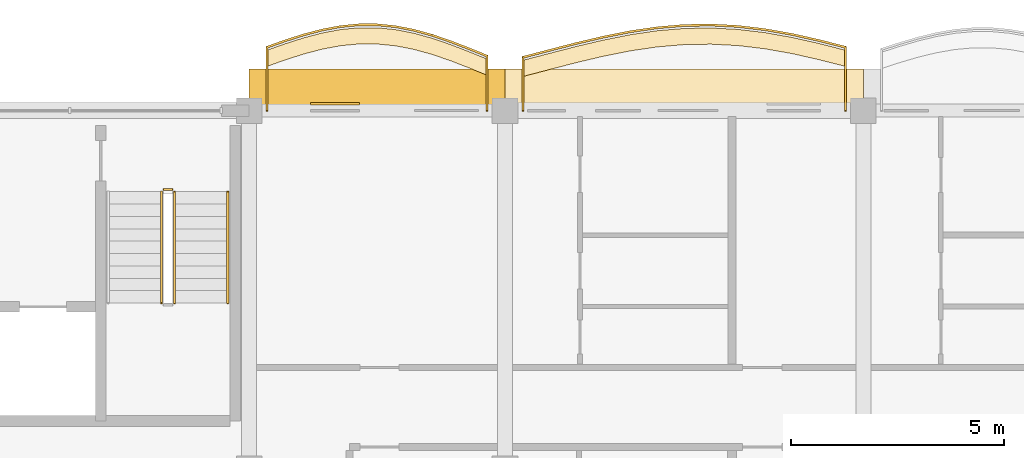
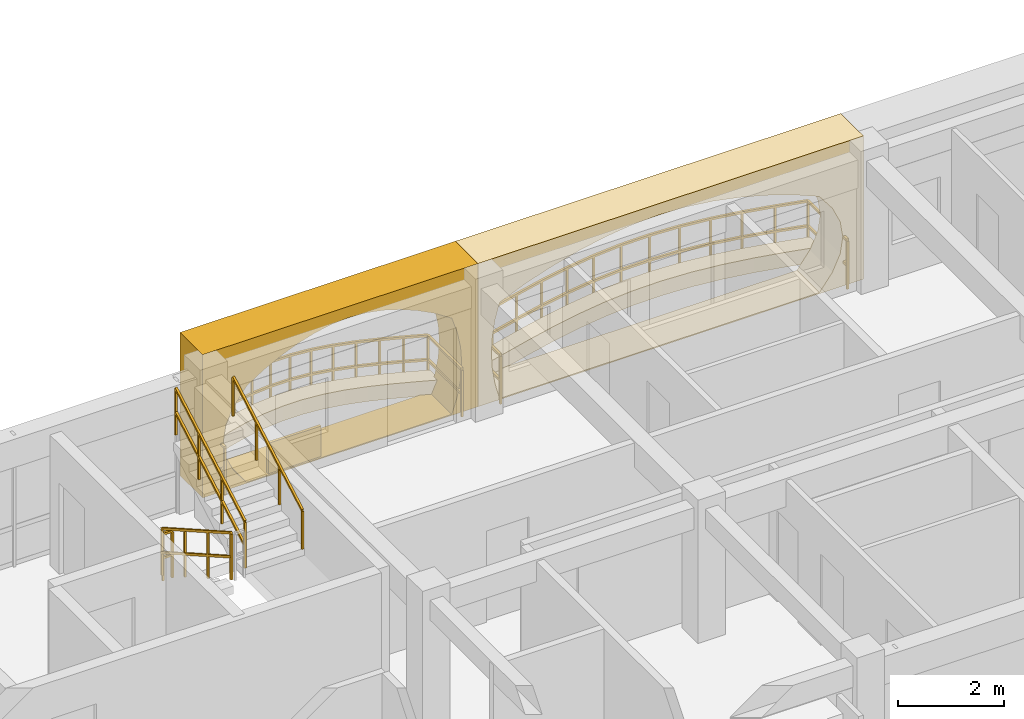
# One storey, part 44 of 54: 6 railings, 5 coverings.
"""IFC4 building model written with IfcOpenShell, lengths in metres."""

from ifc_helpers import new_model, si_unit, direction, frame, origin, origin_2d, place, context, subcontext, project, spatial, polyline, rectangle, outline, extrude, material, layer, layer_set, type_object, element, save


model = new_model("IFC4")

# Units and contexts
model_context = context("Model", 3, precision=1e-05, world=origin(), true_north=direction((0.0, 1.0)))
body_context = subcontext(model_context, "Body", "Model", "MODEL_VIEW")
ifc_project = project(units=[si_unit("LENGTHUNIT", "METRE"), si_unit("AREAUNIT", "SQUARE_METRE"), si_unit("VOLUMEUNIT", "CUBIC_METRE"), si_unit("PLANEANGLEUNIT", "RADIAN"), si_unit("MASSUNIT", "GRAM", prefix="KILO"), si_unit("THERMODYNAMICTEMPERATUREUNIT", "KELVIN")], contexts=[model_context])

# Site, building, storey
site_placement = place(None, origin())
site = spatial("IfcSite", under=ifc_project, at=site_placement, CompositionType="ELEMENT")
building_placement = place(site_placement, origin())
building = spatial("IfcBuilding", under=site, at=building_placement, Name="Thalorik Housing Commons", CompositionType="ELEMENT")
storey_placement = place(building_placement, frame((0.0, 0.0, 31.199951171875)))
storey = spatial("IfcBuildingStorey", under=building, at=storey_placement, Name="L09", CompositionType="ELEMENT", Elevation=31.199951171875)

# Coverings
ifc_material_1 = material(Name="Cobalt blue glazed ceramic facade tile panel", Category="masonry")
ifc_layer_1 = layer(ifc_material_1, 0.06005859375, Name="Cobalt blue glazed ceramic facade tile panel", Category="masonry")
ifc_layer_set_1 = layer_set([ifc_layer_1], Name="Cobalt blue glazed ceramic facade tile panel")
covering_type_1 = type_object("IfcCoveringType", Name="ARC-CLD-BLU-60", PredefinedType="CLADDING", material=ifc_layer_set_1)
covering_1_placement = place(storey_placement, frame((24.81005859375, 123.757568359375, 0.05029296875), z_axis=(0.0, 0.0, 1.0), x_axis=(-1.0, 0.0, 0.0)))
element("IfcCovering", 1, at=covering_1_placement, inside=storey, type_object=covering_type_1, Name="L09 De Stijl Recessed Window Spandrel 956", PredefinedType="CLADDING", context=body_context, shape_type="SweptSolid", body=[
    extrude(rectangle(XDim=1.14990234375, YDim=0.06005859375, at=origin_2d()), origin(), (0.0, 0.0, 1.0), 0.699951171875),
])
ifc_material_2 = material(Name="Precast concrete C40/50", Category="concrete")
ifc_layer_2 = layer(ifc_material_2, 0.85009765625, Name="Precast concrete C40/50", Category="concrete")
ifc_layer_set_2 = layer_set([ifc_layer_2], Name="Precast concrete C40/50")
covering_type_2 = type_object("IfcCoveringType", Name="ARC-CLD-CUSH-850", PredefinedType="CLADDING", material=ifc_layer_set_2)
covering_2_placement = place(storey_placement, frame((33.0, 124.1474609375, 0.0), z_axis=(0.0, 0.0, 1.0), x_axis=(-1.0, 0.0, 0.0)))
element("IfcCovering", 2, at=covering_2_placement, inside=storey, type_object=covering_type_2, Name="L09 White Precast Curved Cushion Bay Frame 953", PredefinedType="CLADDING", context=body_context, shape_type="SweptSolid", body=[
    extrude(outline(polyline([(-4.199951171875, 0.0), (4.199951171875, 0.0), (4.199951171875, 3.300048828125), (-4.199951171875, 3.300048828125), (-4.199951171875, 0.0)]), holes=[polyline([(3.727294921875, 0.02490234375), (3.826904296875, 0.394287109375), (3.886962890625, 0.76318359375), (3.906982421875, 1.132568359375), (3.886962890625, 1.501708984375), (3.826904296875, 1.870849609375), (3.727294921875, 2.239990234375), (3.146484375, 2.4833984375), (2.56591796875, 2.6748046875), (1.9853515625, 2.82958984375), (1.40478515625, 2.94482421875), (0.82421875, 3.01611328125), (0.24365234375, 3.0400390625), (-0.3369140625, 3.01611328125), (-0.91748046875, 2.94482421875), (-1.498291015625, 2.82958984375), (-2.078857421875, 2.6748046875), (-2.659423828125, 2.4833984375), (-3.239990234375, 2.239990234375), (-3.523193359375, 1.870849609375), (-3.693359375, 1.501708984375), (-3.75, 1.132568359375), (-3.693359375, 0.76318359375), (-3.523193359375, 0.394287109375), (-3.239990234375, 0.02490234375), (3.727294921875, 0.02490234375)])]), frame((0.0, 0.425048828125, 0.0), z_axis=(0.0, -1.0, 0.0), x_axis=(1.0, 0.0, 0.0)), (0.0, 0.0, 1.0), 0.85009765625),
])
covering_3_placement = place(storey_placement, frame((25.800048828125, 124.1474609375, 0.0), z_axis=(0.0, 0.0, 1.0), x_axis=(-1.0, 0.0, 0.0)))
element("IfcCovering", 3, at=covering_3_placement, inside=storey, type_object=covering_type_2, Name="L09 White Precast Curved Cushion Bay Frame 955", PredefinedType="CLADDING", context=body_context, shape_type="SweptSolid", body=[
    extrude(outline(polyline([(-3.0, 0.0), (3.0, 0.0), (3.0, 3.300048828125), (-3.0, 3.300048828125), (-3.0, 0.0)]), holes=[polyline([(2.0400390625, 0.02490234375), (2.3232421875, 0.394287109375), (2.493408203125, 0.76318359375), (2.550048828125, 1.132568359375), (2.493408203125, 1.501708984375), (2.3232421875, 1.870849609375), (2.0400390625, 2.239990234375), (1.66748046875, 2.4833984375), (1.294921875, 2.6748046875), (0.922607421875, 2.82958984375), (0.550048828125, 2.94482421875), (0.177490234375, 3.01611328125), (-0.195068359375, 3.0400390625), (-0.5673828125, 3.01611328125), (-0.93994140625, 2.94482421875), (-1.3125, 2.82958984375), (-1.68505859375, 2.6748046875), (-2.0576171875, 2.4833984375), (-2.429931640625, 2.239990234375), (-2.55029296875, 1.870849609375), (-2.62255859375, 1.501708984375), (-2.646484375, 1.132568359375), (-2.62255859375, 0.76318359375), (-2.55029296875, 0.394287109375), (-2.429931640625, 0.02490234375), (2.0400390625, 0.02490234375)])]), frame((0.0, 0.425048828125, 0.0), z_axis=(0.0, -1.0, 0.0), x_axis=(1.0, 0.0, 0.0)), (0.0, 0.0, 1.0), 0.85009765625),
])
ifc_material_3 = material(Name="Planted vegetated substrate and terracotta trough", Category="masonry")
ifc_layer_3 = layer(ifc_material_3, 0.340087890625, Name="Planted vegetated substrate and terracotta trough", Category="masonry")
ifc_layer_set_3 = layer_set([ifc_layer_3], Name="Planted vegetated substrate and terracotta trough")
covering_type_3 = type_object("IfcCoveringType", Name="ARC-COV-PLANTER", PredefinedType="USERDEFINED", material=ifc_layer_set_3)
covering_4_placement = place(storey_placement, origin())
element("IfcCovering", 4, at=covering_4_placement, inside=storey, type_object=covering_type_3, Name="L09 Balcony Slab-Edge Planted Trough 5378", ObjectType="PLANTER", PredefinedType="USERDEFINED", context=body_context, shape_type="SweptSolid", body=[
    extrude(outline(polyline([(28.3798828125, 124.80859375), (27.949951171875, 124.98291015625), (27.52001953125, 125.149169921875), (27.090087890625, 125.29638671875), (26.659912109375, 125.41552734375), (26.22998046875, 125.4990234375), (25.800048828125, 125.541748046875), (25.3701171875, 125.541748046875), (24.93994140625, 125.499755859375), (24.510009765625, 125.419189453125), (24.080078125, 125.305908203125), (23.64990234375, 125.168212890625), (23.219970703125, 125.01611328125), (23.219970703125, 124.635986328125), (23.64990234375, 124.788330078125), (24.080078125, 124.92578125), (24.510009765625, 125.0390625), (24.93994140625, 125.119873046875), (25.3701171875, 125.161865234375), (25.800048828125, 125.161865234375), (26.22998046875, 125.118896484375), (26.659912109375, 125.035400390625), (27.090087890625, 124.91650390625), (27.52001953125, 124.76904296875), (27.949951171875, 124.602783203125), (28.3798828125, 124.428466796875), (28.3798828125, 124.80859375)])), origin(), (0.0, 0.0, 1.0), 0.340087890625),
])
covering_5_placement = place(storey_placement, origin())
element("IfcCovering", 5, at=covering_5_placement, inside=storey, type_object=covering_type_3, Name="L09 Balcony Slab-Edge Planted Trough 5379", ObjectType="PLANTER", PredefinedType="USERDEFINED", context=body_context, shape_type="SweptSolid", body=[
    extrude(outline(polyline([(36.780029296875, 125.015380859375), (36.14990234375, 125.176025390625), (35.52001953125, 125.317138671875), (34.889892578125, 125.428955078125), (34.260009765625, 125.50390625), (33.6298828125, 125.537109375), (33.0, 125.526611328125), (32.3701171875, 125.47314453125), (31.739990234375, 125.380615234375), (31.110107421875, 125.255615234375), (30.47998046875, 125.10693359375), (29.85009765625, 124.944580078125), (29.219970703125, 124.7802734375), (29.219970703125, 124.400146484375), (29.85009765625, 124.564697265625), (30.47998046875, 124.726806640625), (31.110107421875, 124.875732421875), (31.739990234375, 125.00048828125), (32.3701171875, 125.093017578125), (33.0, 125.146484375), (33.6298828125, 125.156982421875), (34.260009765625, 125.123779296875), (34.889892578125, 125.048828125), (35.52001953125, 124.937255859375), (36.14990234375, 124.796142578125), (36.780029296875, 124.635498046875), (36.780029296875, 125.015380859375)])), origin(), (0.0, 0.0, 1.0), 0.340087890625),
])

# Railings
ifc_material_4 = material(Name="Steel S355", Category="steel")
railing_type_1 = type_object("IfcRailingType", Name="ARC-RL-BAL-112", PredefinedType="BALUSTRADE", material=ifc_material_4)
railing_1_placement = place(storey_placement, frame((28.3798828125, 123.60009765625, 0.0)))
element("IfcRailing", 6, at=railing_1_placement, inside=storey, type_object=railing_type_1, Name="L09 Cushion Balcony Guardrail 62", PredefinedType="BALUSTRADE", context=body_context, shape_type="SweptSolid", body=[
    extrude(rectangle(XDim=0.050048828125, YDim=0.050048828125, at=origin_2d()), frame((0.0, 0.0, 1.09521484375), z_axis=(0.0, 1.0, 0.0), x_axis=(-1.0, 0.0, 0.0)), (0.0, 0.0, 1.0), 1.2783203125),
    extrude(rectangle(XDim=0.050048828125, YDim=0.050048828125, at=origin_2d()), frame((0.0, 0.0, 0.53515625), z_axis=(0.0, 1.0, 0.0), x_axis=(-1.0, 0.0, 0.0)), (0.0, 0.0, 1.0), 1.2783203125),
    extrude(rectangle(XDim=0.050048828125, YDim=0.050048828125, at=origin_2d()), frame((0.0, 1.2783203125, 1.09521484375), z_axis=(-0.926541092469, 0.376193572468, 0.0), x_axis=(-0.376193572468, -0.926541092469, 0.0)), (0.0, 0.0, 1.0), 0.464111328125),
    extrude(rectangle(XDim=0.050048828125, YDim=0.050048828125, at=origin_2d()), frame((0.0, 1.2783203125, 0.53515625), z_axis=(-0.926541092469, 0.376193572468, 0.0), x_axis=(-0.376193572468, -0.926541092469, 0.0)), (0.0, 0.0, 1.0), 0.464111328125),
    extrude(rectangle(XDim=0.050048828125, YDim=0.050048828125, at=origin_2d()), frame((-0.429931640625, 1.452880859375, 1.09521484375), z_axis=(-0.9328669237, 0.360221185756, 0.0), x_axis=(-0.360221185756, -0.9328669237, 0.0)), (0.0, 0.0, 1.0), 0.4609375),
    extrude(rectangle(XDim=0.050048828125, YDim=0.050048828125, at=origin_2d()), frame((-0.429931640625, 1.452880859375, 0.53515625), z_axis=(-0.9328669237, 0.360221185756, 0.0), x_axis=(-0.360221185756, -0.9328669237, 0.0)), (0.0, 0.0, 1.0), 0.4609375),
    extrude(rectangle(XDim=0.050048828125, YDim=0.050048828125, at=origin_2d()), frame((-0.85986328125, 1.618896484375, 1.09521484375), z_axis=(-0.945908272877, 0.324434183315, 0.0), x_axis=(-0.324434183315, -0.945908272877, 0.0)), (0.0, 0.0, 1.0), 0.45458984375),
    extrude(rectangle(XDim=0.050048828125, YDim=0.050048828125, at=origin_2d()), frame((-0.85986328125, 1.618896484375, 0.53515625), z_axis=(-0.945908272877, 0.324434183315, 0.0), x_axis=(-0.324434183315, -0.945908272877, 0.0)), (0.0, 0.0, 1.0), 0.45458984375),
    extrude(rectangle(XDim=0.050048828125, YDim=0.050048828125, at=origin_2d()), frame((-1.289794921875, 1.766357421875, 1.09521484375), z_axis=(-0.963721364475, 0.26691034385, 0.0), x_axis=(-0.26691034385, -0.963721364475, 0.0)), (0.0, 0.0, 1.0), 0.4462890625),
    extrude(rectangle(XDim=0.050048828125, YDim=0.050048828125, at=origin_2d()), frame((-1.289794921875, 1.766357421875, 0.53515625), z_axis=(-0.963721364475, 0.26691034385, 0.0), x_axis=(-0.26691034385, -0.963721364475, 0.0)), (0.0, 0.0, 1.0), 0.4462890625),
    extrude(rectangle(XDim=0.050048828125, YDim=0.050048828125, at=origin_2d()), frame((-1.719970703125, 1.885498046875, 1.09521484375), z_axis=(-0.981658882088, 0.190645847629, 0.0), x_axis=(-0.190645847629, -0.981658882088, 0.0)), (0.0, 0.0, 1.0), 0.43798828125),
    extrude(rectangle(XDim=0.050048828125, YDim=0.050048828125, at=origin_2d()), frame((-1.719970703125, 1.885498046875, 0.53515625), z_axis=(-0.981658882088, 0.190645847629, 0.0), x_axis=(-0.190645847629, -0.981658882088, 0.0)), (0.0, 0.0, 1.0), 0.43798828125),
    extrude(rectangle(XDim=0.050048828125, YDim=0.050048828125, at=origin_2d()), frame((-2.14990234375, 1.968994140625, 1.09521484375), z_axis=(-0.995098542801, 0.098888270863, 0.0), x_axis=(-0.098888270863, -0.995098542801, 0.0)), (0.0, 0.0, 1.0), 0.43212890625),
    extrude(rectangle(XDim=0.050048828125, YDim=0.050048828125, at=origin_2d()), frame((-2.14990234375, 1.968994140625, 0.53515625), z_axis=(-0.995098542801, 0.098888270863, 0.0), x_axis=(-0.098888270863, -0.995098542801, 0.0)), (0.0, 0.0, 1.0), 0.43212890625),
    extrude(rectangle(XDim=0.050048828125, YDim=0.050048828125, at=origin_2d()), frame((-2.579833984375, 2.01171875, 1.09521484375), z_axis=(-1.0, 0.0, 0.0), x_axis=(0.0, -1.0, 0.0)), (0.0, 0.0, 1.0), 0.429931640625),
    extrude(rectangle(XDim=0.050048828125, YDim=0.050048828125, at=origin_2d()), frame((-2.579833984375, 2.01171875, 0.53515625), z_axis=(-1.0, 0.0, 0.0), x_axis=(0.0, -1.0, 0.0)), (0.0, 0.0, 1.0), 0.429931640625),
    extrude(rectangle(XDim=0.050048828125, YDim=0.050048828125, at=origin_2d()), frame((-3.009765625, 2.01171875, 1.09521484375), z_axis=(-0.995269306776, -0.09715455208, 0.0), x_axis=(0.09715455208, -0.995269306776, 0.0)), (0.0, 0.0, 1.0), 0.43212890625),
    extrude(rectangle(XDim=0.050048828125, YDim=0.050048828125, at=origin_2d()), frame((-3.009765625, 2.01171875, 0.53515625), z_axis=(-0.995269306776, -0.09715455208, 0.0), x_axis=(0.09715455208, -0.995269306776, 0.0)), (0.0, 0.0, 1.0), 0.43212890625),
    extrude(rectangle(XDim=0.050048828125, YDim=0.050048828125, at=origin_2d()), frame((-3.43994140625, 1.9697265625, 1.09521484375), z_axis=(-0.982789955867, -0.184726561835, 0.0), x_axis=(0.184726561835, -0.982789955867, 0.0)), (0.0, 0.0, 1.0), 0.4375),
    extrude(rectangle(XDim=0.050048828125, YDim=0.050048828125, at=origin_2d()), frame((-3.43994140625, 1.9697265625, 0.53515625), z_axis=(-0.982789955867, -0.184726561835, 0.0), x_axis=(0.184726561835, -0.982789955867, 0.0)), (0.0, 0.0, 1.0), 0.4375),
    extrude(rectangle(XDim=0.050048828125, YDim=0.050048828125, at=origin_2d()), frame((-3.869873046875, 1.888916015625, 1.09521484375), z_axis=(-0.967131424423, -0.254277029817, 0.0), x_axis=(0.254277029817, -0.967131424423, 0.0)), (0.0, 0.0, 1.0), 0.444580078125),
    extrude(rectangle(XDim=0.050048828125, YDim=0.050048828125, at=origin_2d()), frame((-3.869873046875, 1.888916015625, 0.53515625), z_axis=(-0.967131424423, -0.254277029817, 0.0), x_axis=(0.254277029817, -0.967131424423, 0.0)), (0.0, 0.0, 1.0), 0.444580078125),
    extrude(rectangle(XDim=0.050048828125, YDim=0.050048828125, at=origin_2d()), frame((-4.2998046875, 1.77587890625, 1.09521484375), z_axis=(-0.952399039918, -0.304854176228, 0.0), x_axis=(0.304854176228, -0.952399039918, 0.0)), (0.0, 0.0, 1.0), 0.45166015625),
    extrude(rectangle(XDim=0.050048828125, YDim=0.050048828125, at=origin_2d()), frame((-4.2998046875, 1.77587890625, 0.53515625), z_axis=(-0.952399039918, -0.304854176228, 0.0), x_axis=(0.304854176228, -0.952399039918, 0.0)), (0.0, 0.0, 1.0), 0.45166015625),
    extrude(rectangle(XDim=0.050048828125, YDim=0.050048828125, at=origin_2d()), frame((-4.72998046875, 1.63818359375, 1.09521484375), z_axis=(-0.942574576093, -0.333995761205, 0.0), x_axis=(0.333995761205, -0.942574576093, 0.0)), (0.0, 0.0, 1.0), 0.4560546875),
    extrude(rectangle(XDim=0.050048828125, YDim=0.050048828125, at=origin_2d()), frame((-4.72998046875, 1.63818359375, 0.53515625), z_axis=(-0.942574576093, -0.333995761205, 0.0), x_axis=(0.333995761205, -0.942574576093, 0.0)), (0.0, 0.0, 1.0), 0.4560546875),
    extrude(rectangle(XDim=0.050048828125, YDim=0.050048828125, at=origin_2d()), frame((-5.159912109375, 1.48583984375, 1.09521484375), z_axis=(0.0, -1.0, 0.0), x_axis=(1.0, 0.0, 0.0)), (0.0, 0.0, 1.0), 1.48583984375),
    extrude(rectangle(XDim=0.050048828125, YDim=0.050048828125, at=origin_2d()), frame((-5.159912109375, 1.48583984375, 0.53515625), z_axis=(0.0, -1.0, 0.0), x_axis=(1.0, 0.0, 0.0)), (0.0, 0.0, 1.0), 1.48583984375),
    extrude(rectangle(XDim=0.0419921875, YDim=0.0419921875, at=origin_2d()), origin(), (0.0, 0.0, 1.0), 1.070068359375),
    extrude(rectangle(XDim=0.0419921875, YDim=0.0419921875, at=origin_2d()), frame((0.0, 1.2783203125, 0.0)), (0.0, 0.0, 1.0), 1.070068359375),
    extrude(rectangle(XDim=0.0419921875, YDim=0.0419921875, at=origin_2d()), frame((-0.429931640625, 1.452880859375, 0.0)), (0.0, 0.0, 1.0), 1.070068359375),
    extrude(rectangle(XDim=0.0419921875, YDim=0.0419921875, at=origin_2d()), frame((-0.85986328125, 1.618896484375, 0.0)), (0.0, 0.0, 1.0), 1.070068359375),
    extrude(rectangle(XDim=0.0419921875, YDim=0.0419921875, at=origin_2d()), frame((-1.289794921875, 1.766357421875, 0.0)), (0.0, 0.0, 1.0), 1.070068359375),
    extrude(rectangle(XDim=0.0419921875, YDim=0.0419921875, at=origin_2d()), frame((-1.719970703125, 1.885498046875, 0.0)), (0.0, 0.0, 1.0), 1.070068359375),
    extrude(rectangle(XDim=0.0419921875, YDim=0.0419921875, at=origin_2d()), frame((-2.14990234375, 1.968994140625, 0.0)), (0.0, 0.0, 1.0), 1.070068359375),
    extrude(rectangle(XDim=0.0419921875, YDim=0.0419921875, at=origin_2d()), frame((-2.579833984375, 2.01171875, 0.0)), (0.0, 0.0, 1.0), 1.070068359375),
    extrude(rectangle(XDim=0.0419921875, YDim=0.0419921875, at=origin_2d()), frame((-3.009765625, 2.01171875, 0.0)), (0.0, 0.0, 1.0), 1.070068359375),
    extrude(rectangle(XDim=0.0419921875, YDim=0.0419921875, at=origin_2d()), frame((-3.43994140625, 1.9697265625, 0.0)), (0.0, 0.0, 1.0), 1.070068359375),
    extrude(rectangle(XDim=0.0419921875, YDim=0.0419921875, at=origin_2d()), frame((-3.869873046875, 1.888916015625, 0.0)), (0.0, 0.0, 1.0), 1.070068359375),
    extrude(rectangle(XDim=0.0419921875, YDim=0.0419921875, at=origin_2d()), frame((-4.2998046875, 1.77587890625, 0.0)), (0.0, 0.0, 1.0), 1.070068359375),
    extrude(rectangle(XDim=0.0419921875, YDim=0.0419921875, at=origin_2d()), frame((-4.72998046875, 1.63818359375, 0.0)), (0.0, 0.0, 1.0), 1.070068359375),
    extrude(rectangle(XDim=0.0419921875, YDim=0.0419921875, at=origin_2d()), frame((-5.159912109375, 1.48583984375, 0.0)), (0.0, 0.0, 1.0), 1.070068359375),
    extrude(rectangle(XDim=0.0419921875, YDim=0.0419921875, at=origin_2d()), frame((-5.159912109375, 0.0, 0.0)), (0.0, 0.0, 1.0), 1.070068359375),
])
railing_type_2 = type_object("IfcRailingType", Name="ARC-RL-BAL-115", PredefinedType="BALUSTRADE", material=ifc_material_4)
railing_2_placement = place(storey_placement, frame((36.780029296875, 123.60009765625, 0.0)))
element("IfcRailing", 7, at=railing_2_placement, inside=storey, type_object=railing_type_2, Name="L09 Cushion Balcony Guardrail 63", PredefinedType="BALUSTRADE", context=body_context, shape_type="SweptSolid", body=[
    extrude(rectangle(XDim=0.050048828125, YDim=0.050048828125, at=origin_2d()), frame((0.0, 0.0, 1.125), z_axis=(0.0, 1.0, 0.0), x_axis=(-1.0, 0.0, 0.0)), (0.0, 0.0, 1.0), 1.4853515625),
    extrude(rectangle(XDim=0.050048828125, YDim=0.050048828125, at=origin_2d()), frame((0.0, 0.0, 0.5498046875), z_axis=(0.0, 1.0, 0.0), x_axis=(-1.0, 0.0, 0.0)), (0.0, 0.0, 1.0), 1.4853515625),
    extrude(rectangle(XDim=0.050048828125, YDim=0.050048828125, at=origin_2d()), frame((0.0, 1.4853515625, 1.125), z_axis=(-0.969005724791, 0.247038266917, 0.0), x_axis=(-0.247038266917, -0.969005724791, 0.0)), (0.0, 0.0, 1.0), 0.650390625),
    extrude(rectangle(XDim=0.050048828125, YDim=0.050048828125, at=origin_2d()), frame((0.0, 1.4853515625, 0.5498046875), z_axis=(-0.969005724791, 0.247038266917, 0.0), x_axis=(-0.247038266917, -0.969005724791, 0.0)), (0.0, 0.0, 1.0), 0.650390625),
    extrude(rectangle(XDim=0.050048828125, YDim=0.050048828125, at=origin_2d()), frame((-0.630126953125, 1.64599609375, 1.125), z_axis=(-0.975811839183, 0.218612109708, 0.0), x_axis=(-0.218612109708, -0.975811839183, 0.0)), (0.0, 0.0, 1.0), 0.6455078125),
    extrude(rectangle(XDim=0.050048828125, YDim=0.050048828125, at=origin_2d()), frame((-0.630126953125, 1.64599609375, 0.5498046875), z_axis=(-0.975811839183, 0.218612109708, 0.0), x_axis=(-0.218612109708, -0.975811839183, 0.0)), (0.0, 0.0, 1.0), 0.6455078125),
    extrude(rectangle(XDim=0.050048828125, YDim=0.050048828125, at=origin_2d()), frame((-1.260009765625, 1.787109375, 1.125), z_axis=(-0.984683537287, 0.174351172623, 0.0), x_axis=(-0.174351172623, -0.984683537287, 0.0)), (0.0, 0.0, 1.0), 0.639892578125),
    extrude(rectangle(XDim=0.050048828125, YDim=0.050048828125, at=origin_2d()), frame((-1.260009765625, 1.787109375, 0.5498046875), z_axis=(-0.984683537287, 0.174351172623, 0.0), x_axis=(-0.174351172623, -0.984683537287, 0.0)), (0.0, 0.0, 1.0), 0.639892578125),
    extrude(rectangle(XDim=0.050048828125, YDim=0.050048828125, at=origin_2d()), frame((-1.89013671875, 1.898681640625, 1.125), z_axis=(-0.992949497864, 0.118538157109, 0.0), x_axis=(-0.118538157109, -0.992949497864, 0.0)), (0.0, 0.0, 1.0), 0.63427734375),
    extrude(rectangle(XDim=0.050048828125, YDim=0.050048828125, at=origin_2d()), frame((-1.89013671875, 1.898681640625, 0.5498046875), z_axis=(-0.992949497864, 0.118538157109, 0.0), x_axis=(-0.118538157109, -0.992949497864, 0.0)), (0.0, 0.0, 1.0), 0.63427734375),
    extrude(rectangle(XDim=0.050048828125, YDim=0.050048828125, at=origin_2d()), frame((-2.52001953125, 1.973876953125, 1.125), z_axis=(-0.998614621038, 0.052619755312, 0.0), x_axis=(-0.052619755312, -0.998614621038, 0.0)), (0.0, 0.0, 1.0), 0.631103515625),
    extrude(rectangle(XDim=0.050048828125, YDim=0.050048828125, at=origin_2d()), frame((-2.52001953125, 1.973876953125, 0.5498046875), z_axis=(-0.998614621038, 0.052619755312, 0.0), x_axis=(-0.052619755312, -0.998614621038, 0.0)), (0.0, 0.0, 1.0), 0.631103515625),
    extrude(rectangle(XDim=0.050048828125, YDim=0.050048828125, at=origin_2d()), frame((-3.150146484375, 2.007080078125, 1.125), z_axis=(-0.999854607762, -0.017051784008, 0.0), x_axis=(0.017051784008, -0.999854607762, 0.0)), (0.0, 0.0, 1.0), 0.6298828125),
    extrude(rectangle(XDim=0.050048828125, YDim=0.050048828125, at=origin_2d()), frame((-3.150146484375, 2.007080078125, 0.5498046875), z_axis=(-0.999854607762, -0.017051784008, 0.0), x_axis=(0.017051784008, -0.999854607762, 0.0)), (0.0, 0.0, 1.0), 0.6298828125),
    extrude(rectangle(XDim=0.050048828125, YDim=0.050048828125, at=origin_2d()), frame((-3.780029296875, 1.996337890625, 1.125), z_axis=(-0.99644920467, -0.084196095588, 0.0), x_axis=(0.084196095588, -0.99644920467, 0.0)), (0.0, 0.0, 1.0), 0.632080078125),
    extrude(rectangle(XDim=0.050048828125, YDim=0.050048828125, at=origin_2d()), frame((-3.780029296875, 1.996337890625, 0.5498046875), z_axis=(-0.99644920467, -0.084196095588, 0.0), x_axis=(0.084196095588, -0.99644920467, 0.0)), (0.0, 0.0, 1.0), 0.632080078125),
    extrude(rectangle(XDim=0.050048828125, YDim=0.050048828125, at=origin_2d()), frame((-4.409912109375, 1.943115234375, 1.125), z_axis=(-0.989389948801, -0.145284304764, 0.0), x_axis=(0.145284304764, -0.989389948801, 0.0)), (0.0, 0.0, 1.0), 0.636962890625),
    extrude(rectangle(XDim=0.050048828125, YDim=0.050048828125, at=origin_2d()), frame((-4.409912109375, 1.943115234375, 0.5498046875), z_axis=(-0.989389948801, -0.145284304764, 0.0), x_axis=(0.145284304764, -0.989389948801, 0.0)), (0.0, 0.0, 1.0), 0.636962890625),
    extrude(rectangle(XDim=0.050048828125, YDim=0.050048828125, at=origin_2d()), frame((-5.0400390625, 1.8505859375, 1.125), z_axis=(-0.980872033872, -0.194653674939, 0.0), x_axis=(0.194653674939, -0.980872033872, 0.0)), (0.0, 0.0, 1.0), 0.64208984375),
    extrude(rectangle(XDim=0.050048828125, YDim=0.050048828125, at=origin_2d()), frame((-5.0400390625, 1.8505859375, 0.5498046875), z_axis=(-0.980872033872, -0.194653674939, 0.0), x_axis=(0.194653674939, -0.980872033872, 0.0)), (0.0, 0.0, 1.0), 0.64208984375),
    extrude(rectangle(XDim=0.050048828125, YDim=0.050048828125, at=origin_2d()), frame((-5.669921875, 1.7255859375, 1.125), z_axis=(-0.973273559033, -0.2296488173, 0.0), x_axis=(0.2296488173, -0.973273559033, 0.0)), (0.0, 0.0, 1.0), 0.6474609375),
    extrude(rectangle(XDim=0.050048828125, YDim=0.050048828125, at=origin_2d()), frame((-5.669921875, 1.7255859375, 0.5498046875), z_axis=(-0.973273559033, -0.2296488173, 0.0), x_axis=(0.2296488173, -0.973273559033, 0.0)), (0.0, 0.0, 1.0), 0.6474609375),
    extrude(rectangle(XDim=0.050048828125, YDim=0.050048828125, at=origin_2d()), frame((-6.300048828125, 1.576904296875, 1.125), z_axis=(-0.968350517178, -0.249594222451, 0.0), x_axis=(0.249594222451, -0.968350517178, 0.0)), (0.0, 0.0, 1.0), 0.650390625),
    extrude(rectangle(XDim=0.050048828125, YDim=0.050048828125, at=origin_2d()), frame((-6.300048828125, 1.576904296875, 0.5498046875), z_axis=(-0.968350517178, -0.249594222451, 0.0), x_axis=(0.249594222451, -0.968350517178, 0.0)), (0.0, 0.0, 1.0), 0.650390625),
    extrude(rectangle(XDim=0.050048828125, YDim=0.050048828125, at=origin_2d()), frame((-6.929931640625, 1.41455078125, 1.125), z_axis=(-0.967553545938, -0.252666055778, 0.0), x_axis=(0.252666055778, -0.967553545938, 0.0)), (0.0, 0.0, 1.0), 0.6513671875),
    extrude(rectangle(XDim=0.050048828125, YDim=0.050048828125, at=origin_2d()), frame((-6.929931640625, 1.41455078125, 0.5498046875), z_axis=(-0.967553545938, -0.252666055778, 0.0), x_axis=(0.252666055778, -0.967553545938, 0.0)), (0.0, 0.0, 1.0), 0.6513671875),
    extrude(rectangle(XDim=0.050048828125, YDim=0.050048828125, at=origin_2d()), frame((-7.56005859375, 1.25, 1.125), z_axis=(0.0, -1.0, 0.0), x_axis=(1.0, 0.0, 0.0)), (0.0, 0.0, 1.0), 1.25),
    extrude(rectangle(XDim=0.050048828125, YDim=0.050048828125, at=origin_2d()), frame((-7.56005859375, 1.25, 0.5498046875), z_axis=(0.0, -1.0, 0.0), x_axis=(1.0, 0.0, 0.0)), (0.0, 0.0, 1.0), 1.25),
    extrude(rectangle(XDim=0.0419921875, YDim=0.0419921875, at=origin_2d()), origin(), (0.0, 0.0, 1.0), 1.099853515625),
    extrude(rectangle(XDim=0.0419921875, YDim=0.0419921875, at=origin_2d()), frame((0.0, 1.4853515625, 0.0)), (0.0, 0.0, 1.0), 1.099853515625),
    extrude(rectangle(XDim=0.0419921875, YDim=0.0419921875, at=origin_2d()), frame((-0.630126953125, 1.64599609375, 0.0)), (0.0, 0.0, 1.0), 1.099853515625),
    extrude(rectangle(XDim=0.0419921875, YDim=0.0419921875, at=origin_2d()), frame((-1.260009765625, 1.787109375, 0.0)), (0.0, 0.0, 1.0), 1.099853515625),
    extrude(rectangle(XDim=0.0419921875, YDim=0.0419921875, at=origin_2d()), frame((-1.89013671875, 1.898681640625, 0.0)), (0.0, 0.0, 1.0), 1.099853515625),
    extrude(rectangle(XDim=0.0419921875, YDim=0.0419921875, at=origin_2d()), frame((-2.52001953125, 1.973876953125, 0.0)), (0.0, 0.0, 1.0), 1.099853515625),
    extrude(rectangle(XDim=0.0419921875, YDim=0.0419921875, at=origin_2d()), frame((-3.150146484375, 2.007080078125, 0.0)), (0.0, 0.0, 1.0), 1.099853515625),
    extrude(rectangle(XDim=0.0419921875, YDim=0.0419921875, at=origin_2d()), frame((-3.780029296875, 1.996337890625, 0.0)), (0.0, 0.0, 1.0), 1.099853515625),
    extrude(rectangle(XDim=0.0419921875, YDim=0.0419921875, at=origin_2d()), frame((-4.409912109375, 1.943115234375, 0.0)), (0.0, 0.0, 1.0), 1.099853515625),
    extrude(rectangle(XDim=0.0419921875, YDim=0.0419921875, at=origin_2d()), frame((-5.0400390625, 1.8505859375, 0.0)), (0.0, 0.0, 1.0), 1.099853515625),
    extrude(rectangle(XDim=0.0419921875, YDim=0.0419921875, at=origin_2d()), frame((-5.669921875, 1.7255859375, 0.0)), (0.0, 0.0, 1.0), 1.099853515625),
    extrude(rectangle(XDim=0.0419921875, YDim=0.0419921875, at=origin_2d()), frame((-6.300048828125, 1.576904296875, 0.0)), (0.0, 0.0, 1.0), 1.099853515625),
    extrude(rectangle(XDim=0.0419921875, YDim=0.0419921875, at=origin_2d()), frame((-6.929931640625, 1.41455078125, 0.0)), (0.0, 0.0, 1.0), 1.099853515625),
    extrude(rectangle(XDim=0.0419921875, YDim=0.0419921875, at=origin_2d()), frame((-7.56005859375, 1.25, 0.0)), (0.0, 0.0, 1.0), 1.099853515625),
    extrude(rectangle(XDim=0.0419921875, YDim=0.0419921875, at=origin_2d()), frame((-7.56005859375, 0.0, 0.0)), (0.0, 0.0, 1.0), 1.099853515625),
])
railing_type_3 = type_object("IfcRailingType", Name="ARC-RL-STR-GRD110", PredefinedType="GUARDRAIL", material=ifc_material_4)
railing_3_placement = place(storey_placement, frame((20.75, 121.699951171875, 0.1650390625)))
element("IfcRailing", 8, at=railing_3_placement, inside=storey, type_object=railing_type_3, Name="L09 ST-A2 stair guard 1", PredefinedType="GUARDRAIL", context=body_context, shape_type="SweptSolid", body=[
    extrude(rectangle(XDim=0.048095703125, YDim=0.048095703125, at=origin_2d()), frame((0.0, 0.0, 1.076171875), z_axis=(0.0, -0.869137319866, 0.494570843475), x_axis=(1.0, 0.0, 0.0)), (0.0, 0.0, 1.0), 3.0029296875),
    extrude(rectangle(XDim=0.048095703125, YDim=0.048095703125, at=origin_2d()), frame((0.0, 0.0, 0.52587890625), z_axis=(0.0, -0.869137319866, 0.494570843475), x_axis=(1.0, 0.0, 0.0)), (0.0, 0.0, 1.0), 3.0029296875),
    extrude(rectangle(XDim=0.0419921875, YDim=0.0419921875, at=origin_2d()), origin(), (0.0, 0.0, 1.0), 1.052001953125),
    extrude(rectangle(XDim=0.0419921875, YDim=0.0419921875, at=origin_2d()), frame((0.0, -0.869873046875, 0.4951171875)), (0.0, 0.0, 1.0), 1.052001953125),
    extrude(rectangle(XDim=0.0419921875, YDim=0.0419921875, at=origin_2d()), frame((0.0, -1.739990234375, 0.989990234375)), (0.0, 0.0, 1.0), 1.052001953125),
    extrude(rectangle(XDim=0.0419921875, YDim=0.0419921875, at=origin_2d()), frame((0.0, -2.60986328125, 1.485107421875)), (0.0, 0.0, 1.0), 1.052001953125),
])
railing_4_placement = place(storey_placement, frame((21.050048828125, 119.090087890625, 1.81494140625)))
element("IfcRailing", 9, at=railing_4_placement, inside=storey, type_object=railing_type_3, Name="L09 ST-A2 stair guard 3", PredefinedType="GUARDRAIL", context=body_context, shape_type="SweptSolid", body=[
    extrude(rectangle(XDim=0.048095703125, YDim=0.048095703125, at=origin_2d()), frame((0.0, 0.0, 1.076171875), z_axis=(0.0, 0.869137319866, 0.494570843475), x_axis=(-1.0, 0.0, 0.0)), (0.0, 0.0, 1.0), 3.0029296875),
    extrude(rectangle(XDim=0.048095703125, YDim=0.048095703125, at=origin_2d()), frame((0.0, 0.0, 0.52587890625), z_axis=(0.0, 0.869137319866, 0.494570843475), x_axis=(-1.0, 0.0, 0.0)), (0.0, 0.0, 1.0), 3.0029296875),
    extrude(rectangle(XDim=0.0419921875, YDim=0.0419921875, at=origin_2d()), origin(), (0.0, 0.0, 1.0), 1.052001953125),
    extrude(rectangle(XDim=0.0419921875, YDim=0.0419921875, at=origin_2d()), frame((0.0, 0.869873046875, 0.4951171875)), (0.0, 0.0, 1.0), 1.052001953125),
    extrude(rectangle(XDim=0.0419921875, YDim=0.0419921875, at=origin_2d()), frame((0.0, 1.739990234375, 0.989990234375)), (0.0, 0.0, 1.0), 1.052001953125),
    extrude(rectangle(XDim=0.0419921875, YDim=0.0419921875, at=origin_2d()), frame((0.0, 2.60986328125, 1.485107421875)), (0.0, 0.0, 1.0), 1.052001953125),
])
railing_5_placement = place(storey_placement, frame((20.800048828125, 121.75, 0.0)))
element("IfcRailing", 10, at=railing_5_placement, inside=storey, type_object=railing_type_3, Name="L09 ST-A2 stair guard 4", PredefinedType="GUARDRAIL", context=body_context, shape_type="SweptSolid", body=[
    extrude(rectangle(XDim=0.048095703125, YDim=0.048095703125, at=origin_2d()), frame((0.0, 0.0, 1.076171875), z_axis=(1.0, 0.0, 0.0), x_axis=(0.0, 1.0, 0.0)), (0.0, 0.0, 1.0), 0.199951171875),
    extrude(rectangle(XDim=0.048095703125, YDim=0.048095703125, at=origin_2d()), frame((0.0, 0.0, 0.52587890625), z_axis=(1.0, 0.0, 0.0), x_axis=(0.0, 1.0, 0.0)), (0.0, 0.0, 1.0), 0.199951171875),
    extrude(rectangle(XDim=0.0419921875, YDim=0.0419921875, at=origin_2d()), origin(), (0.0, 0.0, 1.0), 1.052001953125),
    extrude(rectangle(XDim=0.0419921875, YDim=0.0419921875, at=origin_2d()), frame((0.199951171875, 0.0, 0.0)), (0.0, 0.0, 1.0), 1.052001953125),
])
railing_type_4 = type_object("IfcRailingType", Name="ARC-RL-STR-HR092", PredefinedType="HANDRAIL", material=ifc_material_4)
railing_6_placement = place(storey_placement, frame((22.300048828125, 119.090087890625, 1.81494140625)))
element("IfcRailing", 11, at=railing_6_placement, inside=storey, type_object=railing_type_4, Name="L09 ST-A2 stair handrail 2", PredefinedType="HANDRAIL", context=body_context, shape_type="SweptSolid", body=[
    extrude(rectangle(XDim=0.048095703125, YDim=0.048095703125, at=origin_2d()), frame((0.0, 0.0, 0.89599609375), z_axis=(0.0, 0.869137319866, 0.494570843475), x_axis=(-1.0, 0.0, 0.0)), (0.0, 0.0, 1.0), 3.0029296875),
    extrude(rectangle(XDim=0.0419921875, YDim=0.0419921875, at=origin_2d()), origin(), (0.0, 0.0, 1.0), 0.871826171875),
    extrude(rectangle(XDim=0.0419921875, YDim=0.0419921875, at=origin_2d()), frame((0.0, 0.869873046875, 0.4951171875)), (0.0, 0.0, 1.0), 0.871826171875),
    extrude(rectangle(XDim=0.0419921875, YDim=0.0419921875, at=origin_2d()), frame((0.0, 1.739990234375, 0.989990234375)), (0.0, 0.0, 1.0), 0.871826171875),
    extrude(rectangle(XDim=0.0419921875, YDim=0.0419921875, at=origin_2d()), frame((0.0, 2.60986328125, 1.485107421875)), (0.0, 0.0, 1.0), 0.871826171875),
])

save(model, "model.ifc")
